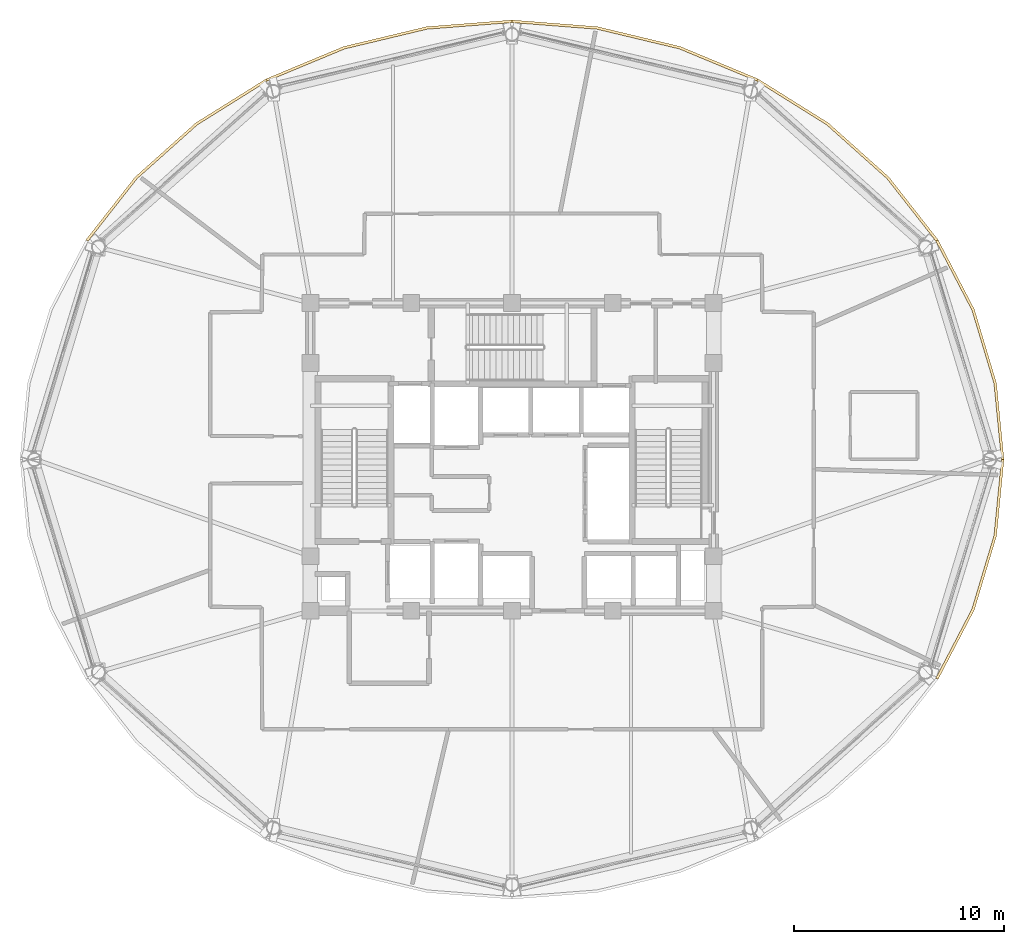
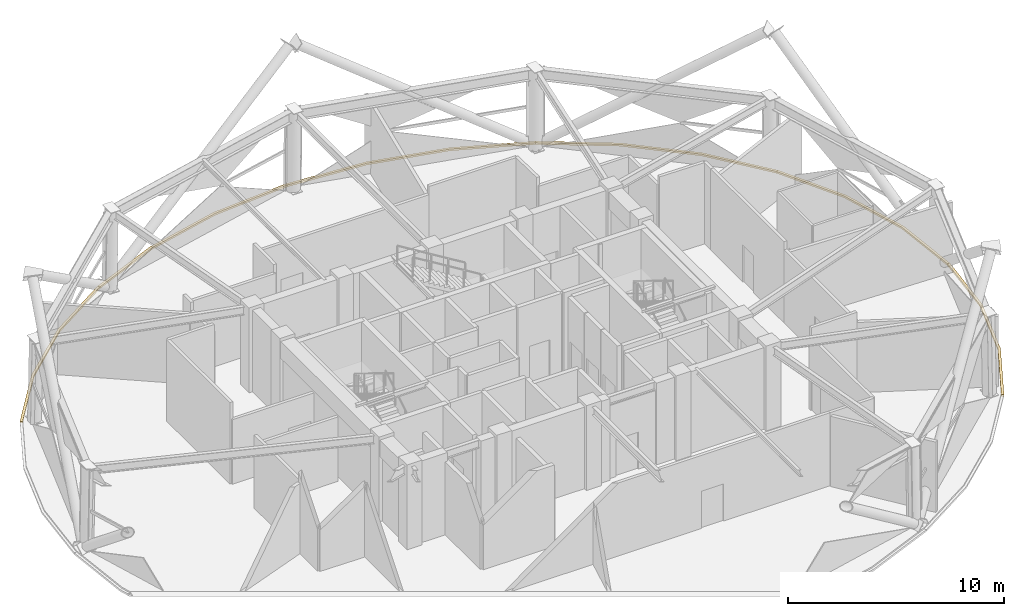
# One storey, part 16 of 16: 6 coverings.
"""IFC4 building model written with IfcOpenShell, lengths in metres."""

from ifc_helpers import new_model, si_unit, direction, frame, origin, place, context, subcontext, project, spatial, polyline, outline, extrude, material, layer, layer_set, type_object, element, save


model = new_model("IFC4")

# Units and contexts
model_context = context("Model", 3, precision=1e-05, world=origin(), true_north=direction((0.0, 1.0)))
body_context = subcontext(model_context, "Body", "Model", "MODEL_VIEW")
ifc_project = project(units=[si_unit("LENGTHUNIT", "METRE"), si_unit("AREAUNIT", "SQUARE_METRE"), si_unit("VOLUMEUNIT", "CUBIC_METRE"), si_unit("PLANEANGLEUNIT", "RADIAN"), si_unit("MASSUNIT", "GRAM", prefix="KILO")], contexts=[model_context])

# Site, building, storey
site_placement = place(None, origin())
site = spatial("IfcSite", under=ifc_project, at=site_placement, CompositionType="ELEMENT")
building_placement = place(site_placement, origin())
building = spatial("IfcBuilding", under=site, at=building_placement, Name="Vantalir Tower", CompositionType="ELEMENT")
storey_placement = place(building_placement, frame((0.0, 0.0, 181.35009765625)))
storey = spatial("IfcBuildingStorey", under=building, at=storey_placement, Name="L45", CompositionType="ELEMENT", Elevation=181.35009765625)

# Coverings
ifc_material = material(Name="Anodised champagne aluminium sill fascia", Category="aluminium")
ifc_layer = layer(ifc_material, 0.125)
ifc_layer_set = layer_set([ifc_layer], Name="Anodised champagne aluminium sill fascia")
covering_type = type_object("IfcCoveringType", Name="COV-SLAB-FASCIA-125", PredefinedType="CLADDING", material=ifc_layer_set)
covering_1_placement = place(storey_placement, frame((0.0, 0.0, -0.18017578125)))
element("IfcCovering", 1, at=covering_1_placement, inside=storey, type_object=covering_type, Name="L45 Perimeter Slab-Edge Sill Fascia 01", PredefinedType="CLADDING", context=body_context, shape_type="SweptSolid", body=[
    extrude(outline(polyline([(54.925048828125, 25.0), (54.569091796875, 28.634033203125), (53.511962890625, 32.157958984375), (51.787109375, 35.464111328125), (51.677978515625, 35.402099609375), (53.39501953125, 32.114990234375), (54.446044921875, 28.613037109375), (54.800048828125, 25.0), (54.925048828125, 25.0)])), origin(), (0.0, 0.0, 1.0), 0.10498046875),
])
covering_2_placement = place(storey_placement, frame((0.0, 0.0, -0.18017578125)))
element("IfcCovering", 2, at=covering_2_placement, inside=storey, type_object=covering_type, Name="L45 Perimeter Slab-Edge Sill Fascia 02", PredefinedType="CLADDING", context=body_context, shape_type="SweptSolid", body=[
    extrude(outline(polyline([(51.787109375, 35.464111328125), (49.445068359375, 38.452880859375), (46.556884765625, 41.032958984375), (43.212890625, 43.125), (43.14990234375, 43.01708984375), (46.47705078125, 40.93701171875), (49.34912109375, 38.373046875), (51.677978515625, 35.402099609375), (51.787109375, 35.464111328125)])), origin(), (0.0, 0.0, 1.0), 0.10498046875),
])
covering_3_placement = place(storey_placement, frame((0.0, 0.0, -0.18017578125)))
element("IfcCovering", 3, at=covering_3_placement, inside=storey, type_object=covering_type, Name="L45 Perimeter Slab-Edge Sill Fascia 03", PredefinedType="CLADDING", context=body_context, shape_type="SweptSolid", body=[
    extrude(outline(polyline([(43.212890625, 43.125), (39.511962890625, 44.6669921875), (35.568115234375, 45.611083984375), (31.5, 45.928955078125), (31.5, 45.803955078125), (35.5458984375, 45.488037109375), (39.468994140625, 44.549072265625), (43.14990234375, 43.01708984375), (43.212890625, 43.125)])), origin(), (0.0, 0.0, 1.0), 0.10498046875),
])
covering_4_placement = place(storey_placement, frame((0.0, 0.0, -0.18017578125)))
element("IfcCovering", 4, at=covering_4_placement, inside=storey, type_object=covering_type, Name="L45 Perimeter Slab-Edge Sill Fascia 04", PredefinedType="CLADDING", context=body_context, shape_type="SweptSolid", body=[
    extrude(outline(polyline([(31.5, 45.928955078125), (27.431884765625, 45.611083984375), (23.488037109375, 44.6669921875), (19.7880859375, 43.125), (19.85009765625, 43.01708984375), (23.531005859375, 44.549072265625), (27.4541015625, 45.488037109375), (31.5, 45.803955078125), (31.5, 45.928955078125)])), origin(), (0.0, 0.0, 1.0), 0.10498046875),
])
covering_5_placement = place(storey_placement, frame((0.0, 0.0, -0.18017578125)))
element("IfcCovering", 5, at=covering_5_placement, inside=storey, type_object=covering_type, Name="L45 Perimeter Slab-Edge Sill Fascia 05", PredefinedType="CLADDING", context=body_context, shape_type="SweptSolid", body=[
    extrude(outline(polyline([(19.7880859375, 43.125), (16.443115234375, 41.032958984375), (13.554931640625, 38.452880859375), (11.212890625, 35.464111328125), (11.322021484375, 35.402099609375), (13.65087890625, 38.373046875), (16.52294921875, 40.93701171875), (19.85009765625, 43.01708984375), (19.7880859375, 43.125)])), origin(), (0.0, 0.0, 1.0), 0.10498046875),
])
covering_6_placement = place(storey_placement, frame((0.0, 0.0, -0.18017578125)))
element("IfcCovering", 6, at=covering_6_placement, inside=storey, type_object=covering_type, Name="L45 Perimeter Slab-Edge Sill Fascia 12", PredefinedType="CLADDING", context=body_context, shape_type="SweptSolid", body=[
    extrude(outline(polyline([(51.787109375, 14.534912109375), (53.511962890625, 17.842041015625), (54.569091796875, 21.365966796875), (54.925048828125, 25.0), (54.800048828125, 25.0), (54.446044921875, 21.386962890625), (53.39501953125, 17.885009765625), (51.677978515625, 14.597900390625), (51.787109375, 14.534912109375)])), origin(), (0.0, 0.0, 1.0), 0.10498046875),
])

save(model, "model.ifc")
